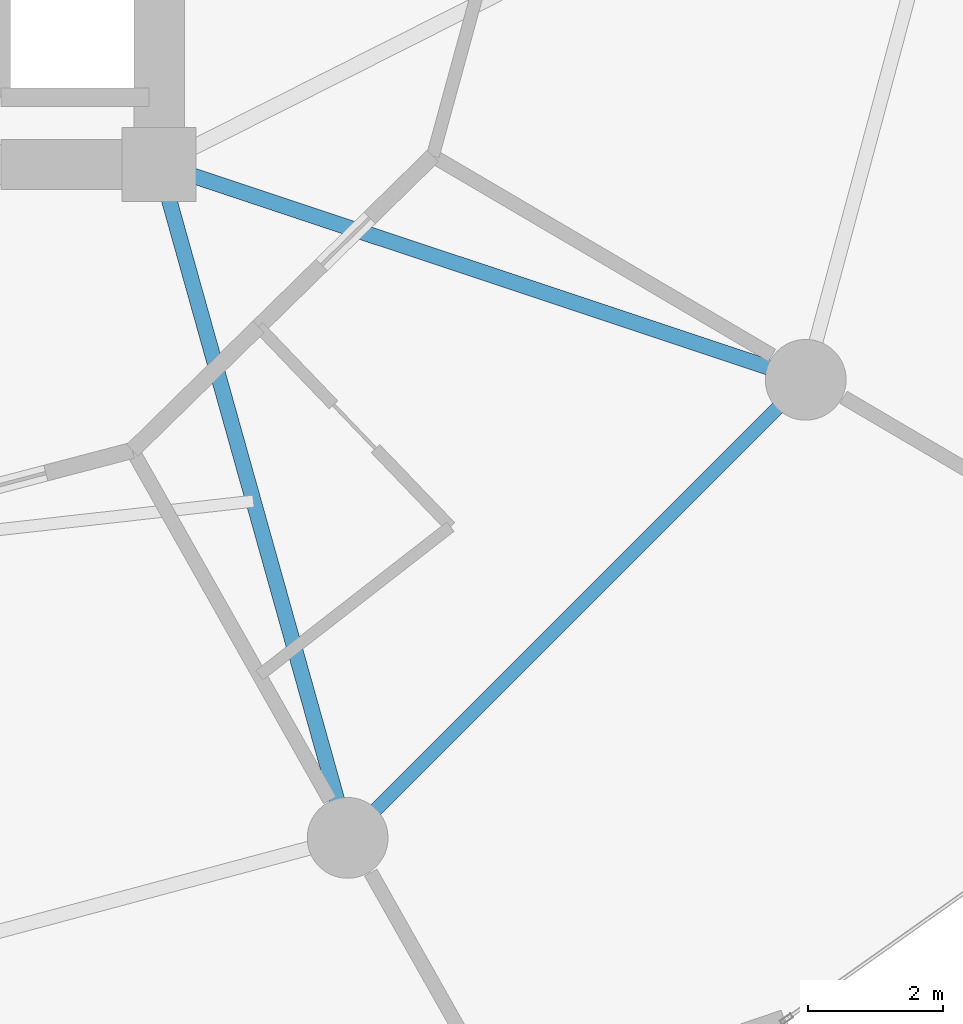
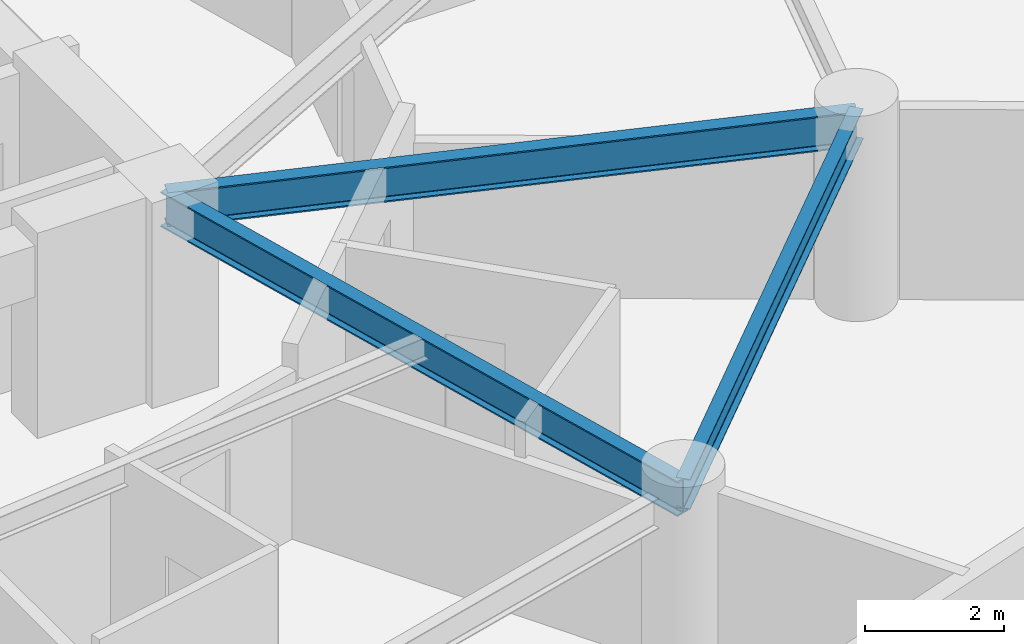
# One storey, part 9 of 26: 3 beams.
"""IFC4 building model written with IfcOpenShell, lengths in metres."""

from ifc_helpers import new_model, si_unit, direction, frame, origin, origin_2d, place, context, subcontext, project, spatial, i_section, extrude, material, material_profile, profile_set, type_object, element, save


model = new_model("IFC4")

# Units and contexts
model_context = context("Model", 3, precision=1e-05, world=origin(), true_north=direction((0.0, 1.0)))
body_context = subcontext(model_context, "Body", "Model", "MODEL_VIEW")
ifc_project = project(units=[si_unit("LENGTHUNIT", "METRE"), si_unit("AREAUNIT", "SQUARE_METRE"), si_unit("VOLUMEUNIT", "CUBIC_METRE"), si_unit("PLANEANGLEUNIT", "RADIAN"), si_unit("MASSUNIT", "GRAM", prefix="KILO")], contexts=[model_context])

# Site, building, storey
site_placement = place(None, origin())
site = spatial("IfcSite", under=ifc_project, at=site_placement, CompositionType="ELEMENT")
building_placement = place(site_placement, origin())
building = spatial("IfcBuilding", under=site, at=building_placement, Name="Solvirekh Grand Hotel", CompositionType="ELEMENT")
storey_placement = place(building_placement, frame((0.0, 0.0, 32.0)))
storey = spatial("IfcBuildingStorey", under=building, at=storey_placement, Name="L06", CompositionType="ELEMENT", Elevation=32.0)

# Beams
ifc_material = material(Name="Steel S355", Category="steel")
ifc_material_profile_1 = material_profile(ifc_material, i_section(OverallWidth=0.22998046875, OverallDepth=0.615966796875, WebThickness=0.013916015625, FlangeThickness=0.02392578125, FilletRadius=0.014892578125, at=origin_2d()), Name="W610X174")
ifc_profile_set_1 = profile_set([ifc_material_profile_1], Name="Steel S355")
beam_type_1 = type_object("IfcBeamType", Name="Beam_Primary_W610H", PredefinedType="BEAM", material=ifc_profile_set_1)
beam_1_placement = place(storey_placement, frame((6.5, -6.10009765625, 3.031982421875), z_axis=(0.269439084681, -0.963017434757, 0.0), x_axis=(0.963017434757, 0.269439084681, 0.0)))
element("IfcBeam", 1, at=beam_1_placement, inside=storey, type_object=beam_type_1, Name="L06 radial floor beam R11", PredefinedType="BEAM", context=body_context, shape_type="SweptSolid", body=[
    extrude(i_section(OverallWidth=0.22998046875, OverallDepth=0.615966796875, WebThickness=0.013916015625, FlangeThickness=0.02392578125, FilletRadius=0.014892578125, at=origin_2d()), origin(), (0.0, 0.0, 1.0), 10.39208984375),
])
beam_2_placement = place(storey_placement, frame((6.5, -6.10009765625, 3.031982421875), z_axis=(0.948762825819, -0.315989082635, 0.0), x_axis=(0.315989082635, 0.948762825819, 0.0)))
element("IfcBeam", 2, at=beam_2_placement, inside=storey, type_object=beam_type_1, Name="L06 radial floor beam R12", PredefinedType="BEAM", context=body_context, shape_type="SweptSolid", body=[
    extrude(i_section(OverallWidth=0.22998046875, OverallDepth=0.615966796875, WebThickness=0.013916015625, FlangeThickness=0.02392578125, FilletRadius=0.014892578125, at=origin_2d()), origin(), (0.0, 0.0, 1.0), 10.126708984375),
])
ifc_material_profile_2 = material_profile(ifc_material, i_section(OverallWidth=0.208984375, OverallDepth=0.532958984375, WebThickness=0.010009765625, FlangeThickness=0.014892578125, FilletRadius=0.013916015625, at=origin_2d()), Name="W530X92")
ifc_profile_set_2 = profile_set([ifc_material_profile_2], Name="Steel S355")
beam_type_2 = type_object("IfcBeamType", Name="Spandrel_Ring_W530", PredefinedType="SPANDREL", material=ifc_profile_set_2)
beam_3_placement = place(storey_placement, frame((9.300048828125, -16.10791015625, 3.073974609375), z_axis=(0.707106781187, 0.707106781187, 0.0), x_axis=(-0.707106781187, 0.707106781187, 0.0)))
element("IfcBeam", 3, at=beam_3_placement, inside=storey, type_object=beam_type_2, Name="L06 perimeter spandrel beam 11", PredefinedType="SPANDREL", context=body_context, shape_type="SweptSolid", body=[
    extrude(i_section(OverallWidth=0.208984375, OverallDepth=0.532958984375, WebThickness=0.010009765625, FlangeThickness=0.014892578125, FilletRadius=0.013916015625, at=origin_2d()), origin(), (0.0, 0.0, 1.0), 9.627685546875),
])

save(model, "model.ifc")
